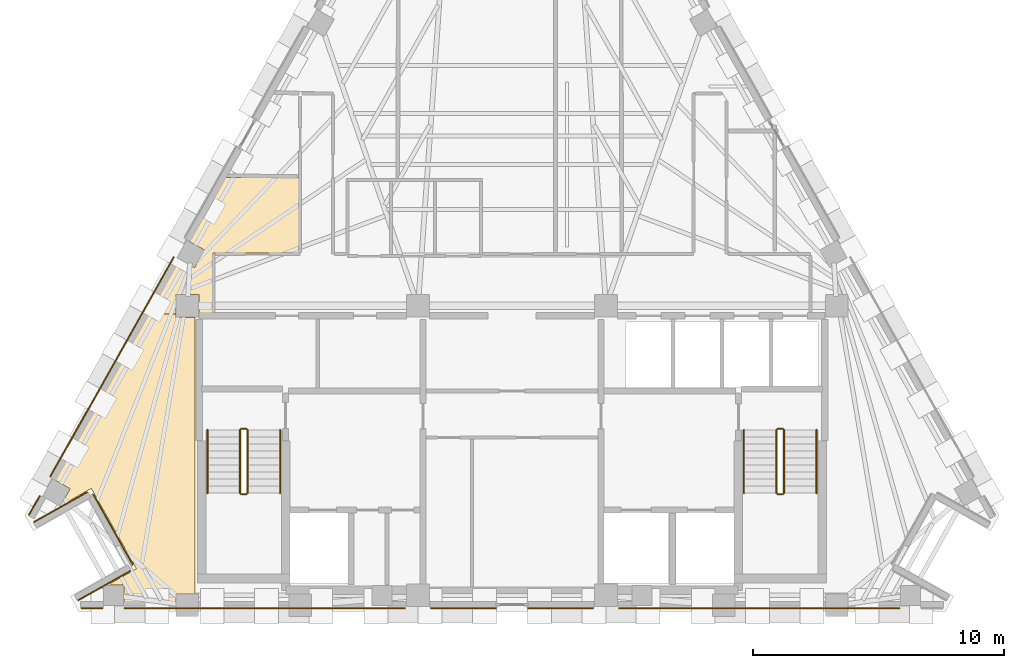
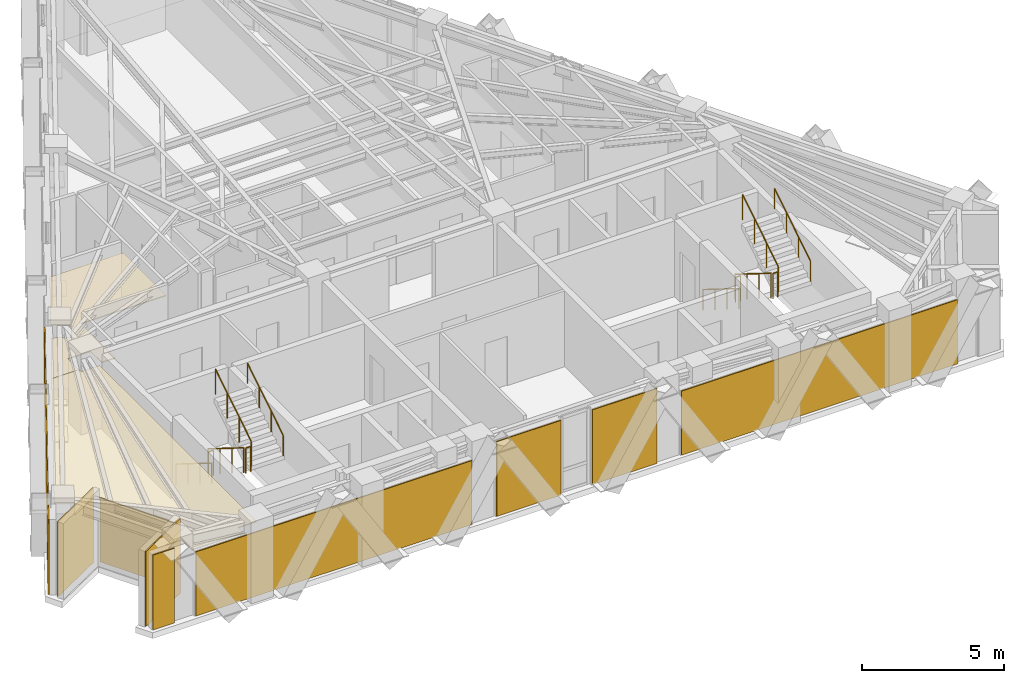
# One storey, part 8 of 9: 12 coverings, 12 railings.
"""IFC4 building model written with IfcOpenShell, lengths in metres."""

from ifc_helpers import new_model, si_unit, direction, frame, origin, origin_2d, place, context, subcontext, project, spatial, polyline, circle, outline, extrude, material, layer, layer_set, type_object, element, save


model = new_model("IFC4")

# Units and contexts
model_context = context("Model", 3, precision=1e-05, world=origin(), true_north=direction((0.0, 1.0)))
body_context = subcontext(model_context, "Body", "Model", "MODEL_VIEW")
ifc_project = project(units=[si_unit("LENGTHUNIT", "METRE"), si_unit("AREAUNIT", "SQUARE_METRE"), si_unit("VOLUMEUNIT", "CUBIC_METRE"), si_unit("PLANEANGLEUNIT", "RADIAN"), si_unit("MASSUNIT", "GRAM", prefix="KILO")], contexts=[model_context])

# Site, building, storey
site_placement = place(None, origin())
site = spatial("IfcSite", under=ifc_project, at=site_placement, CompositionType="ELEMENT")
building_placement = place(site_placement, origin())
building = spatial("IfcBuilding", under=site, at=building_placement, Name="Quenlor Broadcast Tower", CompositionType="ELEMENT")
storey_placement = place(building_placement, frame((0.0, 0.0, 235.89990234375)))
storey = spatial("IfcBuildingStorey", under=building, at=storey_placement, Name="L65", CompositionType="ELEMENT", Elevation=235.89990234375)

# Coverings
ifc_material_1 = material(Name="Acoustic Gypsum Board", Category="other")
ifc_layer_1 = layer(ifc_material_1, 0.0400390625)
ifc_layer_set_1 = layer_set([ifc_layer_1], Name="Broadcast Studio Spring Isolated Ceiling 40")
covering_type_1 = type_object("IfcCoveringType", Name="Broadcast Studio Spring Isolated Ceiling 40", PredefinedType="CEILING", material=ifc_layer_set_1)
covering_1_placement = place(storey_placement, frame((0.0, 0.0, 2.69970703125)))
element("IfcCovering", 1, at=covering_1_placement, inside=storey, type_object=covering_type_1, Name="L65 Acoustic Ceiling L65-30", PredefinedType="CEILING", context=body_context, shape_type="SweptSolid", body=[
    extrude(outline(polyline([(-13.295654296875, -2.930419921875), (-12.669921875, -3.2822265625), (-12.27001953125, -2.571044921875), (-12.895751953125, -2.218994140625), (-11.470458984375, 0.314697265625), (-8.47998046875, 0.314697265625), (-8.47998046875, -2.699951171875), (-11.929931640625, -2.699951171875), (-11.929931640625, -5.1201171875), (-12.491943359375, -5.1201171875), (-12.491943359375, -4.342041015625), (-13.407958984375, -4.342041015625), (-13.407958984375, -5.1201171875), (-14.52734375, -5.1201171875), (-13.295654296875, -2.930419921875)])), origin(), (0.0, 0.0, 1.0), 0.0400390625),
])
covering_2_placement = place(storey_placement, frame((0.0, 0.0, 2.69970703125)))
element("IfcCovering", 2, at=covering_2_placement, inside=storey, type_object=covering_type_1, Name="L65 Acoustic Ceiling L65-30-2", PredefinedType="CEILING", context=body_context, shape_type="SweptSolid", body=[
    extrude(outline(polyline([(-17.626708984375, -12.09423828125), (-18.25244140625, -11.7421875), (-14.52734375, -5.1201171875), (-13.407958984375, -5.1201171875), (-13.407958984375, -5.258056640625), (-12.64990234375, -5.258056640625), (-12.64990234375, -16.2919921875), (-13.407958984375, -16.2919921875), (-13.407958984375, -16.659912109375), (-15.489501953125, -16.659912109375), (-15.489501953125, -15.94189453125), (-16.1435546875, -15.94189453125), (-14.983642578125, -15.28955078125), (-16.785888671875, -12.085693359375), (-18.0087890625, -12.773681640625), (-17.626708984375, -12.09423828125)])), origin(), (0.0, 0.0, 1.0), 0.0400390625),
])
ifc_material_2 = material(Name="Architectural Terracotta Ceramic", Category="masonry")
ifc_layer_2 = layer(ifc_material_2, 0.044921875)
ifc_layer_set_2 = layer_set([ifc_layer_2], Name="Fluted Terracotta Rainscreen Cladding Panel")
covering_type_2 = type_object("IfcCoveringType", Name="Fluted Terracotta Rainscreen Cladding Panel", PredefinedType="CLADDING", material=ifc_layer_set_2)
covering_3_placement = place(storey_placement, frame((0.0, 0.0, 0.02001953125)))
element("IfcCovering", 3, at=covering_3_placement, inside=storey, type_object=covering_type_2, Name="L65 Terracotta Rainscreen Cladding L65-SHD-SS1", PredefinedType="CLADDING", context=body_context, shape_type="SweptSolid", body=[
    extrude(outline(polyline([(-16.33251953125, -16.8369140625), (-17.18994140625, -16.8369140625), (-17.18994140625, -16.882080078125), (-16.33251953125, -16.882080078125), (-16.33251953125, -16.8369140625)])), origin(), (0.0, 0.0, 1.0), 3.2099609375),
])
covering_4_placement = place(storey_placement, frame((0.0, 0.0, 0.02001953125)))
element("IfcCovering", 4, at=covering_4_placement, inside=storey, type_object=covering_type_2, Name="L65 Terracotta Rainscreen Cladding L65-EW-SA", PredefinedType="CLADDING", context=body_context, shape_type="SweptSolid", body=[
    extrude(outline(polyline([(15.462646484375, -16.846923828125), (4.25, -16.846923828125), (4.25, -16.89208984375), (15.462646484375, -16.89208984375), (15.462646484375, -16.846923828125)])), origin(), (0.0, 0.0, 1.0), 2.749755859375),
])
covering_5_placement = place(storey_placement, frame((0.0, 0.0, 0.02001953125)))
element("IfcCovering", 5, at=covering_5_placement, inside=storey, type_object=covering_type_2, Name="L65 Terracotta Rainscreen Cladding L65-EW-SC", PredefinedType="CLADDING", context=body_context, shape_type="SweptSolid", body=[
    extrude(outline(polyline([(-4.25, -16.846923828125), (-15.462646484375, -16.846923828125), (-15.462646484375, -16.89208984375), (-4.25, -16.89208984375), (-4.25, -16.846923828125)])), origin(), (0.0, 0.0, 1.0), 2.749755859375),
])
covering_6_placement = place(storey_placement, frame((0.0, 0.0, 0.02001953125)))
element("IfcCovering", 6, at=covering_6_placement, inside=storey, type_object=covering_type_2, Name="L65 Terracotta Rainscreen Cladding L65-S-SP1", PredefinedType="CLADDING", context=body_context, shape_type="SweptSolid", body=[
    extrude(outline(polyline([(3.25, -16.846923828125), (0.6357421875, -16.846923828125), (0.6357421875, -16.89208984375), (3.25, -16.89208984375), (3.25, -16.846923828125)])), origin(), (0.0, 0.0, 1.0), 3.2099609375),
])
covering_7_placement = place(storey_placement, frame((0.0, 0.0, 0.02001953125)))
element("IfcCovering", 7, at=covering_7_placement, inside=storey, type_object=covering_type_2, Name="L65 Terracotta Rainscreen Cladding L65-S-SP2", PredefinedType="CLADDING", context=body_context, shape_type="SweptSolid", body=[
    extrude(outline(polyline([(-0.6357421875, -16.846923828125), (-3.25, -16.846923828125), (-3.25, -16.89208984375), (-0.6357421875, -16.89208984375), (-0.6357421875, -16.846923828125)])), origin(), (0.0, 0.0, 1.0), 3.2099609375),
])
covering_8_placement = place(storey_placement, frame((0.0, 0.0, 0.02001953125)))
element("IfcCovering", 8, at=covering_8_placement, inside=storey, type_object=covering_type_2, Name="L65 Terracotta Rainscreen Cladding L65-SHD-NWS0", PredefinedType="CLADDING", context=body_context, shape_type="SweptSolid", body=[
    extrude(outline(polyline([(-19.25390625, -13.161376953125), (-18.820068359375, -12.39013671875), (-18.859130859375, -12.3681640625), (-19.29296875, -13.139404296875), (-19.25390625, -13.161376953125)])), origin(), (0.0, 0.0, 1.0), 3.2099609375),
])
covering_9_placement = place(storey_placement, frame((0.0, 0.0, 0.02001953125)))
element("IfcCovering", 9, at=covering_9_placement, inside=storey, type_object=covering_type_2, Name="L65 Terracotta Rainscreen Cladding L65-EW-NWA", PredefinedType="CLADDING", context=body_context, shape_type="SweptSolid", body=[
    extrude(outline(polyline([(-18.402099609375, -11.626953125), (-13.471923828125, -2.862060546875), (-13.51123046875, -2.840087890625), (-18.44140625, -11.60498046875), (-18.402099609375, -11.626953125)])), origin(), (0.0, 0.0, 1.0), 3.2099609375),
])
covering_10_placement = place(storey_placement, frame((0.0, 0.0, 0.02001953125)))
element("IfcCovering", 10, at=covering_10_placement, inside=storey, type_object=covering_type_2, Name="L65 Terracotta Rainscreen Cladding L65-CNR-13", PredefinedType="CLADDING", context=body_context, shape_type="SweptSolid", body=[
    extrude(outline(polyline([(-19.062255859375, -13.444091796875), (-16.935546875, -12.247802734375), (-16.95751953125, -12.208740234375), (-19.084228515625, -13.405029296875), (-19.062255859375, -13.444091796875)])), origin(), (0.0, 0.0, 1.0), 3.2099609375),
])
covering_11_placement = place(storey_placement, frame((0.0, 0.0, 0.02001953125)))
element("IfcCovering", 11, at=covering_11_placement, inside=storey, type_object=covering_type_2, Name="L65 Terracotta Rainscreen Cladding L65-CNR-14", PredefinedType="CLADDING", context=body_context, shape_type="SweptSolid", body=[
    extrude(outline(polyline([(-16.72265625, -12.3369140625), (-15.14599609375, -15.139892578125), (-15.106689453125, -15.117919921875), (-16.683349609375, -12.31494140625), (-16.72265625, -12.3369140625)])), origin(), (0.0, 0.0, 1.0), 2.749755859375),
])
covering_12_placement = place(storey_placement, frame((0.0, 0.0, 0.02001953125)))
element("IfcCovering", 12, at=covering_12_placement, inside=storey, type_object=covering_type_2, Name="L65 Terracotta Rainscreen Cladding L65-CNR-15", PredefinedType="CLADDING", context=body_context, shape_type="SweptSolid", body=[
    extrude(outline(polyline([(-15.23486328125, -15.352783203125), (-17.32666015625, -16.529541015625), (-17.3046875, -16.568603515625), (-15.212890625, -15.39208984375), (-15.23486328125, -15.352783203125)])), origin(), (0.0, 0.0, 1.0), 3.2099609375),
])

# Railings
ifc_material_3 = material(Name="Anodised Aluminium", Category="aluminium")
railing_type_1 = type_object("IfcRailingType", Name="Stainless Aluminium Wall Handrail 900", PredefinedType="HANDRAIL", material=ifc_material_3)
railing_1_placement = place(storey_placement, frame((-12.14990234375, -9.75, 0.175048828125)))
element("IfcRailing", 13, at=railing_1_placement, inside=storey, type_object=railing_type_1, Name="L65 ST-1 stair handrail 1", PredefinedType="HANDRAIL", context=body_context, shape_type="SweptSolid", body=[
    extrude(circle(Radius=0.02392578125, at=origin_2d()), frame((0.0, 0.0, 0.8759765625), z_axis=(0.0, -0.848007534815, 0.529984170421), x_axis=(1.0, 0.0, 0.0)), (0.0, 0.0, 1.0), 2.9716796875),
    extrude(circle(Radius=0.02099609375, at=origin_2d()), origin(), (0.0, 0.0, 1.0), 0.851806640625),
    extrude(circle(Radius=0.02099609375, at=origin_2d()), frame((0.0, -0.840087890625, 0.52490234375)), (0.0, 0.0, 1.0), 0.851806640625),
    extrude(circle(Radius=0.02099609375, at=origin_2d()), frame((0.0, -1.679931640625, 1.050048828125)), (0.0, 0.0, 1.0), 0.851806640625),
    extrude(circle(Radius=0.02099609375, at=origin_2d()), frame((0.0, -2.52001953125, 1.574951171875)), (0.0, 0.0, 1.0), 0.851806640625),
])
railing_2_placement = place(storey_placement, frame((-9.25, -12.27001953125, 1.925048828125)))
element("IfcRailing", 14, at=railing_2_placement, inside=storey, type_object=railing_type_1, Name="L65 ST-1 stair handrail 2", PredefinedType="HANDRAIL", context=body_context, shape_type="SweptSolid", body=[
    extrude(circle(Radius=0.02392578125, at=origin_2d()), frame((0.0, 0.0, 0.8759765625), z_axis=(0.0, 0.848007534815, 0.529984170421), x_axis=(-1.0, 0.0, 0.0)), (0.0, 0.0, 1.0), 2.9716796875),
    extrude(circle(Radius=0.02099609375, at=origin_2d()), origin(), (0.0, 0.0, 1.0), 0.851806640625),
    extrude(circle(Radius=0.02099609375, at=origin_2d()), frame((0.0, 0.840087890625, 0.52490234375)), (0.0, 0.0, 1.0), 0.851806640625),
    extrude(circle(Radius=0.02099609375, at=origin_2d()), frame((0.0, 1.679931640625, 1.050048828125)), (0.0, 0.0, 1.0), 0.851806640625),
    extrude(circle(Radius=0.02099609375, at=origin_2d()), frame((0.0, 2.52001953125, 1.574951171875)), (0.0, 0.0, 1.0), 0.851806640625),
])
railing_3_placement = place(storey_placement, frame((9.25, -9.75, 0.175048828125)))
element("IfcRailing", 15, at=railing_3_placement, inside=storey, type_object=railing_type_1, Name="L65 ST-2 stair handrail 1", PredefinedType="HANDRAIL", context=body_context, shape_type="SweptSolid", body=[
    extrude(circle(Radius=0.02392578125, at=origin_2d()), frame((0.0, 0.0, 0.8759765625), z_axis=(0.0, -0.848007534815, 0.529984170421), x_axis=(1.0, 0.0, 0.0)), (0.0, 0.0, 1.0), 2.9716796875),
    extrude(circle(Radius=0.02099609375, at=origin_2d()), origin(), (0.0, 0.0, 1.0), 0.851806640625),
    extrude(circle(Radius=0.02099609375, at=origin_2d()), frame((0.0, -0.840087890625, 0.52490234375)), (0.0, 0.0, 1.0), 0.851806640625),
    extrude(circle(Radius=0.02099609375, at=origin_2d()), frame((0.0, -1.679931640625, 1.050048828125)), (0.0, 0.0, 1.0), 0.851806640625),
    extrude(circle(Radius=0.02099609375, at=origin_2d()), frame((0.0, -2.52001953125, 1.574951171875)), (0.0, 0.0, 1.0), 0.851806640625),
])
railing_4_placement = place(storey_placement, frame((12.14990234375, -12.27001953125, 1.925048828125)))
element("IfcRailing", 16, at=railing_4_placement, inside=storey, type_object=railing_type_1, Name="L65 ST-2 stair handrail 2", PredefinedType="HANDRAIL", context=body_context, shape_type="SweptSolid", body=[
    extrude(circle(Radius=0.02392578125, at=origin_2d()), frame((0.0, 0.0, 0.8759765625), z_axis=(0.0, 0.848007534815, 0.529984170421), x_axis=(-1.0, 0.0, 0.0)), (0.0, 0.0, 1.0), 2.9716796875),
    extrude(circle(Radius=0.02099609375, at=origin_2d()), origin(), (0.0, 0.0, 1.0), 0.851806640625),
    extrude(circle(Radius=0.02099609375, at=origin_2d()), frame((0.0, 0.840087890625, 0.52490234375)), (0.0, 0.0, 1.0), 0.851806640625),
    extrude(circle(Radius=0.02099609375, at=origin_2d()), frame((0.0, 1.679931640625, 1.050048828125)), (0.0, 0.0, 1.0), 0.851806640625),
    extrude(circle(Radius=0.02099609375, at=origin_2d()), frame((0.0, 2.52001953125, 1.574951171875)), (0.0, 0.0, 1.0), 0.851806640625),
])
ifc_material_4 = material(Name="Steel S355", Category="steel")
railing_type_2 = type_object("IfcRailingType", Name="Tubular Steel S355 Stair Guardrail 1100", PredefinedType="BALUSTRADE", material=ifc_material_4)
railing_5_placement = place(storey_placement, frame((-10.85009765625, -9.75, 0.175048828125)))
element("IfcRailing", 17, at=railing_5_placement, inside=storey, type_object=railing_type_2, Name="L65 ST-1 stair guard 1", PredefinedType="BALUSTRADE", context=body_context, shape_type="SweptSolid", body=[
    extrude(circle(Radius=0.02392578125, at=origin_2d()), frame((0.0, 0.0, 1.076171875), z_axis=(0.0, -0.848007534815, 0.529984170421), x_axis=(1.0, 0.0, 0.0)), (0.0, 0.0, 1.0), 2.9716796875),
    extrude(circle(Radius=0.02099609375, at=origin_2d()), origin(), (0.0, 0.0, 1.0), 1.052001953125),
    extrude(circle(Radius=0.02099609375, at=origin_2d()), frame((0.0, -0.840087890625, 0.52490234375)), (0.0, 0.0, 1.0), 1.052001953125),
    extrude(circle(Radius=0.02099609375, at=origin_2d()), frame((0.0, -1.679931640625, 1.050048828125)), (0.0, 0.0, 1.0), 1.052001953125),
    extrude(circle(Radius=0.02099609375, at=origin_2d()), frame((0.0, -2.52001953125, 1.574951171875)), (0.0, 0.0, 1.0), 1.052001953125),
])
railing_6_placement = place(storey_placement, frame((-10.800048828125, -12.320068359375, 1.75)))
element("IfcRailing", 18, at=railing_6_placement, inside=storey, type_object=railing_type_2, Name="L65 ST-1 stair guard 2", PredefinedType="BALUSTRADE", context=body_context, shape_type="SweptSolid", body=[
    extrude(circle(Radius=0.02392578125, at=origin_2d()), frame((0.0, 0.0, 1.076171875), z_axis=(1.0, 0.0, 0.0), x_axis=(0.0, 1.0, 0.0)), (0.0, 0.0, 1.0), 0.199951171875),
    extrude(circle(Radius=0.02099609375, at=origin_2d()), origin(), (0.0, 0.0, 1.0), 1.052001953125),
    extrude(circle(Radius=0.02099609375, at=origin_2d()), frame((0.199951171875, 0.0, 0.0)), (0.0, 0.0, 1.0), 1.052001953125),
])
railing_7_placement = place(storey_placement, frame((-10.550048828125, -12.27001953125, 1.925048828125)))
element("IfcRailing", 19, at=railing_7_placement, inside=storey, type_object=railing_type_2, Name="L65 ST-1 stair guard 3", PredefinedType="BALUSTRADE", context=body_context, shape_type="SweptSolid", body=[
    extrude(circle(Radius=0.02392578125, at=origin_2d()), frame((0.0, 0.0, 1.076171875), z_axis=(0.0, 0.848007534815, 0.529984170421), x_axis=(-1.0, 0.0, 0.0)), (0.0, 0.0, 1.0), 2.9716796875),
    extrude(circle(Radius=0.02099609375, at=origin_2d()), origin(), (0.0, 0.0, 1.0), 1.052001953125),
    extrude(circle(Radius=0.02099609375, at=origin_2d()), frame((0.0, 0.840087890625, 0.52490234375)), (0.0, 0.0, 1.0), 1.052001953125),
    extrude(circle(Radius=0.02099609375, at=origin_2d()), frame((0.0, 1.679931640625, 1.050048828125)), (0.0, 0.0, 1.0), 1.052001953125),
    extrude(circle(Radius=0.02099609375, at=origin_2d()), frame((0.0, 2.52001953125, 1.574951171875)), (0.0, 0.0, 1.0), 1.052001953125),
])
railing_8_placement = place(storey_placement, frame((-10.800048828125, -9.699951171875, 0.0)))
element("IfcRailing", 20, at=railing_8_placement, inside=storey, type_object=railing_type_2, Name="L65 ST-1 stair guard 4", PredefinedType="BALUSTRADE", context=body_context, shape_type="SweptSolid", body=[
    extrude(circle(Radius=0.02392578125, at=origin_2d()), frame((0.0, 0.0, 1.076171875), z_axis=(1.0, 0.0, 0.0), x_axis=(0.0, 1.0, 0.0)), (0.0, 0.0, 1.0), 0.199951171875),
    extrude(circle(Radius=0.02099609375, at=origin_2d()), origin(), (0.0, 0.0, 1.0), 1.052001953125),
    extrude(circle(Radius=0.02099609375, at=origin_2d()), frame((0.199951171875, 0.0, 0.0)), (0.0, 0.0, 1.0), 1.052001953125),
])
railing_9_placement = place(storey_placement, frame((10.550048828125, -9.75, 0.175048828125)))
element("IfcRailing", 21, at=railing_9_placement, inside=storey, type_object=railing_type_2, Name="L65 ST-2 stair guard 1", PredefinedType="BALUSTRADE", context=body_context, shape_type="SweptSolid", body=[
    extrude(circle(Radius=0.02392578125, at=origin_2d()), frame((0.0, 0.0, 1.076171875), z_axis=(0.0, -0.848007534815, 0.529984170421), x_axis=(1.0, 0.0, 0.0)), (0.0, 0.0, 1.0), 2.9716796875),
    extrude(circle(Radius=0.02099609375, at=origin_2d()), origin(), (0.0, 0.0, 1.0), 1.052001953125),
    extrude(circle(Radius=0.02099609375, at=origin_2d()), frame((0.0, -0.840087890625, 0.52490234375)), (0.0, 0.0, 1.0), 1.052001953125),
    extrude(circle(Radius=0.02099609375, at=origin_2d()), frame((0.0, -1.679931640625, 1.050048828125)), (0.0, 0.0, 1.0), 1.052001953125),
    extrude(circle(Radius=0.02099609375, at=origin_2d()), frame((0.0, -2.52001953125, 1.574951171875)), (0.0, 0.0, 1.0), 1.052001953125),
])
railing_10_placement = place(storey_placement, frame((10.60009765625, -12.320068359375, 1.75)))
element("IfcRailing", 22, at=railing_10_placement, inside=storey, type_object=railing_type_2, Name="L65 ST-2 stair guard 2", PredefinedType="BALUSTRADE", context=body_context, shape_type="SweptSolid", body=[
    extrude(circle(Radius=0.02392578125, at=origin_2d()), frame((0.0, 0.0, 1.076171875), z_axis=(1.0, 0.0, 0.0), x_axis=(0.0, 1.0, 0.0)), (0.0, 0.0, 1.0), 0.199951171875),
    extrude(circle(Radius=0.02099609375, at=origin_2d()), origin(), (0.0, 0.0, 1.0), 1.052001953125),
    extrude(circle(Radius=0.02099609375, at=origin_2d()), frame((0.199951171875, 0.0, 0.0)), (0.0, 0.0, 1.0), 1.052001953125),
])
railing_11_placement = place(storey_placement, frame((10.85009765625, -12.27001953125, 1.925048828125)))
element("IfcRailing", 23, at=railing_11_placement, inside=storey, type_object=railing_type_2, Name="L65 ST-2 stair guard 3", PredefinedType="BALUSTRADE", context=body_context, shape_type="SweptSolid", body=[
    extrude(circle(Radius=0.02392578125, at=origin_2d()), frame((0.0, 0.0, 1.076171875), z_axis=(0.0, 0.848007534815, 0.529984170421), x_axis=(-1.0, 0.0, 0.0)), (0.0, 0.0, 1.0), 2.9716796875),
    extrude(circle(Radius=0.02099609375, at=origin_2d()), origin(), (0.0, 0.0, 1.0), 1.052001953125),
    extrude(circle(Radius=0.02099609375, at=origin_2d()), frame((0.0, 0.840087890625, 0.52490234375)), (0.0, 0.0, 1.0), 1.052001953125),
    extrude(circle(Radius=0.02099609375, at=origin_2d()), frame((0.0, 1.679931640625, 1.050048828125)), (0.0, 0.0, 1.0), 1.052001953125),
    extrude(circle(Radius=0.02099609375, at=origin_2d()), frame((0.0, 2.52001953125, 1.574951171875)), (0.0, 0.0, 1.0), 1.052001953125),
])
railing_12_placement = place(storey_placement, frame((10.60009765625, -9.699951171875, 0.0)))
element("IfcRailing", 24, at=railing_12_placement, inside=storey, type_object=railing_type_2, Name="L65 ST-2 stair guard 4", PredefinedType="BALUSTRADE", context=body_context, shape_type="SweptSolid", body=[
    extrude(circle(Radius=0.02392578125, at=origin_2d()), frame((0.0, 0.0, 1.076171875), z_axis=(1.0, 0.0, 0.0), x_axis=(0.0, 1.0, 0.0)), (0.0, 0.0, 1.0), 0.199951171875),
    extrude(circle(Radius=0.02099609375, at=origin_2d()), origin(), (0.0, 0.0, 1.0), 1.052001953125),
    extrude(circle(Radius=0.02099609375, at=origin_2d()), frame((0.199951171875, 0.0, 0.0)), (0.0, 0.0, 1.0), 1.052001953125),
])

save(model, "model.ifc")
